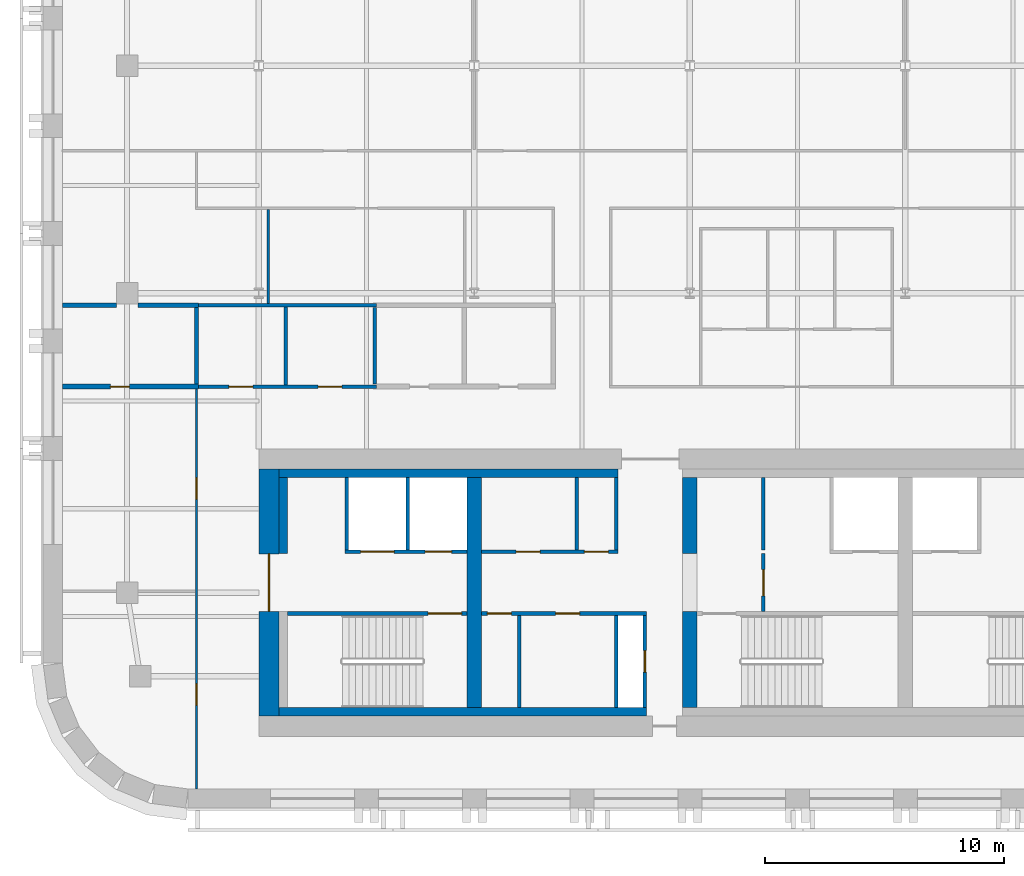
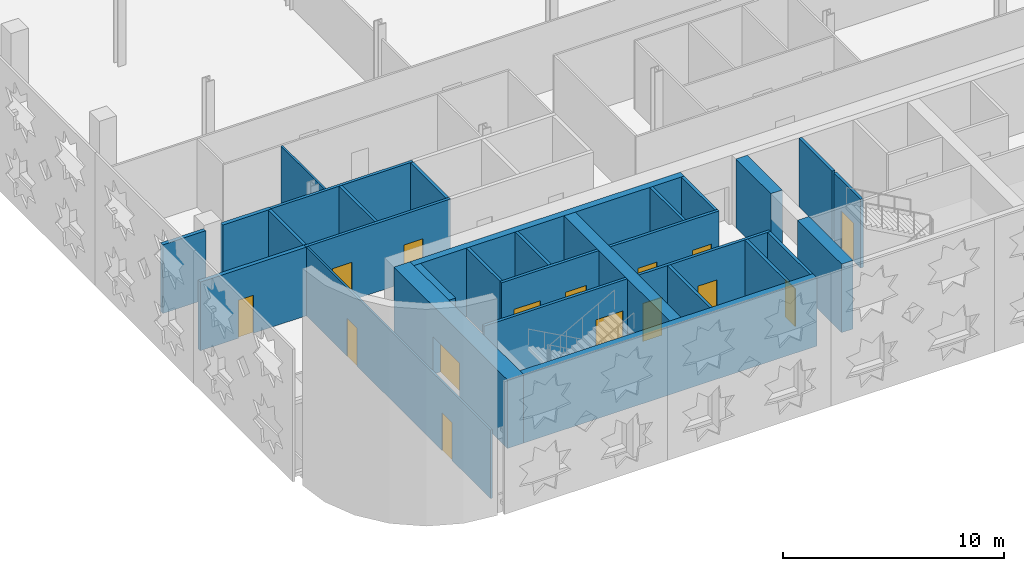
# One storey, part 3 of 14: 30 walls, 15 doors, 15 openings.
"""IFC4 building model written with IfcOpenShell, lengths in metres."""

from ifc_helpers import new_model, si_unit, direction, frame, frame_2d, origin, place, context, subcontext, project, spatial, rectangle, extrude, material, layer, layer_set, type_object, element, fill, save


model = new_model("IFC4")

# Units and contexts
model_context = context("Model", 3, precision=1e-05, world=origin(), true_north=direction((0.0, 1.0)))
body_context = subcontext(model_context, "Body", "Model", "MODEL_VIEW")
ifc_project = project(units=[si_unit("LENGTHUNIT", "METRE"), si_unit("AREAUNIT", "SQUARE_METRE"), si_unit("VOLUMEUNIT", "CUBIC_METRE"), si_unit("PLANEANGLEUNIT", "RADIAN"), si_unit("MASSUNIT", "GRAM", prefix="KILO")], contexts=[model_context])

# Site, building, storey
site_placement = place(None, origin())
site = spatial("IfcSite", under=ifc_project, at=site_placement, CompositionType="ELEMENT")
building_placement = place(site_placement, origin())
building = spatial("IfcBuilding", under=site, at=building_placement, Name="Zellij Exchange Tower", CompositionType="ELEMENT")
storey_placement = place(building_placement, frame((0.0, 0.0, 188.5)))
storey = spatial("IfcBuildingStorey", under=building, at=storey_placement, Name="L43", CompositionType="ELEMENT", Elevation=188.5)

# Walls
ifc_material_1 = material(Name="Concrete C60/75", Category="concrete")
ifc_layer_1 = layer(ifc_material_1, 0.60009765625)
ifc_layer_set_1 = layer_set([ifc_layer_1], Name="Concrete C60/75")
wall_type_1 = type_object("IfcWallType", Name="CORE-CW 600 C60/75", PredefinedType="SHEAR", material=ifc_layer_set_1)
wall_1_placement = place(storey_placement, frame((-18.0, -12.800048828125, 0.0), z_axis=(0.0, 0.0, 1.0), x_axis=(0.0, 1.0, 0.0)))
element("IfcWall", 1, at=wall_1_placement, inside=storey, type_object=wall_type_1, Name="Core cross wall x -18 L43", PredefinedType="SHEAR", context=body_context, shape_type="SweptSolid", body=[
    extrude(rectangle(XDim=9.60009765625, YDim=0.60009765625, at=frame_2d((4.800048828125, 0.0))), origin(), (0.0, 0.0, 1.0), 3.800048828125),
])
wall_2_placement = place(storey_placement, frame((-9.0, -12.800048828125, 0.0), z_axis=(0.0, 0.0, 1.0), x_axis=(0.0, 1.0, 0.0)))
element("IfcWall", 2, at=wall_2_placement, inside=storey, type_object=wall_type_1, Name="Core cross wall pier x -9 a L43", PredefinedType="SHEAR", context=body_context, shape_type="SweptSolid", body=[
    extrude(rectangle(XDim=4.0, YDim=0.60009765625, at=frame_2d((2.0, 0.0))), origin(), (0.0, 0.0, 1.0), 3.800048828125),
])
wall_3_placement = place(storey_placement, frame((-9.0, -6.375, 0.0), z_axis=(0.0, 0.0, 1.0), x_axis=(0.0, 1.0, 0.0)))
element("IfcWall", 3, at=wall_3_placement, inside=storey, type_object=wall_type_1, Name="Core cross wall pier x -9 b L43", PredefinedType="SHEAR", context=body_context, shape_type="SweptSolid", body=[
    extrude(rectangle(XDim=3.175048828125, YDim=0.60009765625, at=frame_2d((1.58740234375, 0.0))), origin(), (0.0, 0.0, 1.0), 3.800048828125),
])
ifc_material_2 = material(Name="Concrete C30/37", Category="concrete")
ifc_layer_2 = layer(ifc_material_2, 0.35009765625)
ifc_layer_set_2 = layer_set([ifc_layer_2], Name="Concrete C30/37")
wall_type_2 = type_object("IfcWallType", Name="CORE-LW 350 C30/37", PredefinedType="SHEAR", material=ifc_layer_set_2)
wall_4_placement = place(storey_placement, frame((-26.14990234375, -3.02490234375, 0.0), z_axis=(0.0, 0.0, 1.0), x_axis=(1.0, 0.0, 0.0)))
element("IfcWall", 4, at=wall_4_placement, inside=storey, type_object=wall_type_2, Name="Core wall lining front.0 L43", PredefinedType="SHEAR", context=body_context, shape_type="SweptSolid", body=[
    extrude(rectangle(XDim=14.14990234375, YDim=0.35009765625, at=frame_2d((7.074951171875, 0.0))), origin(), (0.0, 0.0, 1.0), 3.800048828125),
])
wall_5_placement = place(storey_placement, frame((-26.14990234375, -12.97509765625, 0.0), z_axis=(0.0, 0.0, 1.0), x_axis=(1.0, 0.0, 0.0)))
element("IfcWall", 5, at=wall_5_placement, inside=storey, type_object=wall_type_2, Name="Core wall lining rear.0 L43", PredefinedType="SHEAR", context=body_context, shape_type="SweptSolid", body=[
    extrude(rectangle(XDim=15.349853515625, YDim=0.35009765625, at=frame_2d((7.6748046875, 0.0))), origin(), (0.0, 0.0, 1.0), 3.800048828125),
])
wall_6_placement = place(storey_placement, frame((-25.97509765625, -6.375, 0.0), z_axis=(0.0, 0.0, 1.0), x_axis=(0.0, 1.0, 0.0)))
element("IfcWall", 6, at=wall_6_placement, inside=storey, type_object=wall_type_2, Name="Core wall lining end w.1 L43", PredefinedType="SHEAR", context=body_context, shape_type="SweptSolid", body=[
    extrude(rectangle(XDim=3.175048828125, YDim=0.35009765625, at=frame_2d((1.58740234375, 0.0))), origin(), (0.0, 0.0, 1.0), 3.800048828125),
])

# Wall, opening, door
ifc_material_3 = material(Name="Gypsum shaft wall system")
ifc_layer_3 = layer(ifc_material_3, 0.14990234375)
ifc_layer_set_3 = layer_set([ifc_layer_3], Name="Gypsum shaft wall system")
wall_type_3 = type_object("IfcWallType", Name="CORE-PW 150 Firefighting lobby wall", PredefinedType="PARTITIONING", material=ifc_layer_set_3)
wall_7_placement = place(storey_placement, frame((-5.925048828125, -8.800048828125, 0.0), z_axis=(0.0, 0.0, 1.0), x_axis=(0.0, 1.0, 0.0)))
wall_7 = element("IfcWall", 7, at=wall_7_placement, inside=storey, type_object=wall_type_3, Name="Firefighting lobby wall L43", PredefinedType="PARTITIONING", context=body_context, shape_type="SweptSolid", body=[
    extrude(rectangle(XDim=2.425048828125, YDim=0.14990234375, at=frame_2d((1.21240234375, 0.0))), origin(), (0.0, 0.0, 1.0), 3.800048828125),
])
opening_1_placement = place(wall_7_placement, frame((0.662109375, 0.0, 0.0)))
opening_1 = element("IfcOpeningElement", 8, at=opening_1_placement, cuts=wall_7, Name="Opening CA-23.13", PredefinedType="OPENING", context=body_context, shape_type="SweptSolid", body=[
    extrude(rectangle(XDim=1.10009765625, YDim=2.10009765625, at=frame_2d((0.550048828125, 1.050048828125))), frame((0.0, 0.0869140625, 0.0), z_axis=(0.0, -1.0, 0.0), x_axis=(1.0, 0.0, 0.0)), (0.0, 0.0, 1.0), 0.173828125),
])
ifc_material_4 = material(Name="Hollow metal fire door")
door_type_1 = type_object("IfcDoorType", Name="CORE-D F Firefighting lobby door 1100x2100 1 HR", OperationType="NOTDEFINED", PredefinedType="DOOR", material=ifc_material_4)
door_1_placement = place(opening_1_placement, origin())
door_1 = element("IfcDoor", 9, at=door_1_placement, inside=storey, type_object=door_type_1, Name="Firefighting lobby door CA-23.13", OperationType="SINGLE_SWING_LEFT", OverallHeight=2.10009765625, OverallWidth=1.10009765625, PredefinedType="DOOR", context=body_context, shape_type="SweptSolid", body=[
    extrude(rectangle(XDim=1.10009765625, YDim=2.10009765625, at=frame_2d((0.550048828125, 1.050048828125))), frame((0.0, 0.02490234375, 0.0), z_axis=(0.0, -1.0, 0.0), x_axis=(1.0, 0.0, 0.0)), (0.0, 0.0, 1.0), 0.050048828125),
])
fill(opening_1, door_1)

# Walls
ifc_material_5 = material(Name="Gypsum board partition")
ifc_layer_4 = layer(ifc_material_5, 0.14990234375)
ifc_layer_set_4 = layer_set([ifc_layer_4], Name="Gypsum board partition")
wall_type_4 = type_object("IfcWallType", Name="CORE-PW 150 Lift lobby wall", PredefinedType="PARTITIONING", material=ifc_layer_set_4)
for number, where, z_axis, x_axis, name in (
    (10, (-12.074951171875, -6.22509765625, 0.0), (0.0, 0.0, 1.0), (0.0, 1.0, 0.0), "Lift lobby wall L43"),
    (11, (-13.72509765625, -6.22509765625, 0.0), (0.0, 0.0, 1.0), (0.0, 1.0, 0.0), "Lift lobby wall L43"),
    (12, (-5.925048828125, -6.22509765625, 0.0), (0.0, 0.0, 1.0), (0.0, 1.0, 0.0), "Lift lobby wall L43"),
):
    element("IfcWall", number, at=place(storey_placement, frame(where, z_axis=z_axis, x_axis=x_axis)), inside=storey, type_object=wall_type_4, Name=name, PredefinedType="PARTITIONING", context=body_context, shape_type="SweptSolid", body=[
        extrude(rectangle(XDim=3.025146484375, YDim=0.14990234375, at=frame_2d((1.5126953125, 0.0))), origin(), (0.0, 0.0, 1.0), 3.800048828125),
    ])

# Wall, opening, door
wall_8_placement = place(storey_placement, frame((-10.875, -12.800048828125, 0.0), z_axis=(0.0, 0.0, 1.0), x_axis=(0.0, 1.0, 0.0)))
wall_8 = element("IfcWall", 13, at=wall_8_placement, inside=storey, type_object=wall_type_4, Name="Lift lobby wall L43", PredefinedType="PARTITIONING", context=body_context, shape_type="SweptSolid", body=[
    extrude(rectangle(XDim=3.85009765625, YDim=0.14990234375, at=frame_2d((1.925048828125, 0.0))), origin(), (0.0, 0.0, 1.0), 3.800048828125),
])
opening_2_placement = place(wall_8_placement, frame((1.47509765625, 0.0, 0.0)))
opening_2 = element("IfcOpeningElement", 14, at=opening_2_placement, cuts=wall_8, Name="Opening CA-23.09", PredefinedType="OPENING", context=body_context, shape_type="SweptSolid", body=[
    extrude(rectangle(XDim=0.89990234375, YDim=2.10009765625, at=frame_2d((0.449951171875, 1.050048828125))), frame((0.0, 0.0869140625, 0.0), z_axis=(0.0, -1.0, 0.0), x_axis=(1.0, 0.0, 0.0)), (0.0, 0.0, 1.0), 0.173828125),
])
door_type_2 = type_object("IfcDoorType", Name="CORE-D RD Riser door 900x2100 1.5 HR", OperationType="NOTDEFINED", PredefinedType="DOOR", material=ifc_material_4)
door_2_placement = place(opening_2_placement, origin())
door_2 = element("IfcDoor", 15, at=door_2_placement, inside=storey, type_object=door_type_2, Name="Riser door CA-23.09", OperationType="SINGLE_SWING_RIGHT", OverallHeight=2.10009765625, OverallWidth=0.89990234375, PredefinedType="DOOR", context=body_context, shape_type="SweptSolid", body=[
    extrude(rectangle(XDim=0.89990234375, YDim=2.10009765625, at=frame_2d((0.449951171875, 1.050048828125))), frame((0.0, 0.02490234375, 0.0), z_axis=(0.0, -1.0, 0.0), x_axis=(1.0, 0.0, 0.0)), (0.0, 0.0, 1.0), 0.050048828125),
])
fill(opening_2, door_2)

# Walls
for number, where, z_axis, x_axis, name in (
    (16, (-12.074951171875, -12.800048828125, 0.0), (0.0, 0.0, 1.0), (0.0, 1.0, 0.0), "Lift lobby wall L43"),
    (17, (-16.125, -12.800048828125, 0.0), (0.0, 0.0, 1.0), (0.0, 1.0, 0.0), "Lift lobby wall L43"),
):
    element("IfcWall", number, at=place(storey_placement, frame(where, z_axis=z_axis, x_axis=x_axis)), inside=storey, type_object=wall_type_4, Name=name, PredefinedType="PARTITIONING", context=body_context, shape_type="SweptSolid", body=[
        extrude(rectangle(XDim=3.85009765625, YDim=0.14990234375, at=frame_2d((1.925048828125, 0.0))), origin(), (0.0, 0.0, 1.0), 3.800048828125),
    ])

# Wall, openings, doors
wall_9_placement = place(storey_placement, frame((-17.699951171875, -6.300048828125, 0.0), z_axis=(0.0, 0.0, 1.0), x_axis=(1.0, 0.0, 0.0)))
wall_9 = element("IfcWall", 18, at=wall_9_placement, inside=storey, type_object=wall_type_4, Name="Lift lobby wall L43", PredefinedType="PARTITIONING", context=body_context, shape_type="SweptSolid", body=[
    extrude(rectangle(XDim=5.699951171875, YDim=0.14990234375, at=frame_2d((2.85009765625, 0.0))), origin(), (0.0, 0.0, 1.0), 3.800048828125),
])
opening_3_placement = place(wall_9_placement, frame((1.449951171875, 0.0, 0.0)))
opening_3 = element("IfcOpeningElement", 19, at=opening_3_placement, cuts=wall_9, Name="Opening CA-23.06", PredefinedType="OPENING", context=body_context, shape_type="SweptSolid", body=[
    extrude(rectangle(XDim=1.0, YDim=2.10009765625, at=frame_2d((0.5, 1.050048828125))), frame((0.0, 0.0869140625, 0.0), z_axis=(0.0, -1.0, 0.0), x_axis=(1.0, 0.0, 0.0)), (0.0, 0.0, 1.0), 0.173828125),
])
opening_4_placement = place(wall_9_placement, frame((4.300048828125, 0.0, 0.0)))
opening_4 = element("IfcOpeningElement", 20, at=opening_4_placement, cuts=wall_9, Name="Opening CA-23.08", PredefinedType="OPENING", context=body_context, shape_type="SweptSolid", body=[
    extrude(rectangle(XDim=1.0, YDim=2.10009765625, at=frame_2d((0.5, 1.050048828125))), frame((0.0, 0.0869140625, 0.0), z_axis=(0.0, -1.0, 0.0), x_axis=(1.0, 0.0, 0.0)), (0.0, 0.0, 1.0), 0.173828125),
])
door_type_3 = type_object("IfcDoorType", Name="CORE-D CD Core room door 1000x2100 1 HR", OperationType="NOTDEFINED", PredefinedType="DOOR", material=ifc_material_4)
door_3_placement = place(opening_3_placement, origin())
door_3 = element("IfcDoor", 21, at=door_3_placement, inside=storey, type_object=door_type_3, Name="Core room door CA-23.06", OperationType="SINGLE_SWING_LEFT", OverallHeight=2.10009765625, OverallWidth=1.0, PredefinedType="DOOR", context=body_context, shape_type="SweptSolid", body=[
    extrude(rectangle(XDim=1.0, YDim=2.10009765625, at=frame_2d((0.5, 1.050048828125))), frame((0.0, 0.02490234375, 0.0), z_axis=(0.0, -1.0, 0.0), x_axis=(1.0, 0.0, 0.0)), (0.0, 0.0, 1.0), 0.050048828125),
])
fill(opening_3, door_3)
door_4_placement = place(opening_4_placement, origin())
door_4 = element("IfcDoor", 22, at=door_4_placement, inside=storey, type_object=door_type_3, Name="Core room door CA-23.08", OperationType="SINGLE_SWING_RIGHT", OverallHeight=2.10009765625, OverallWidth=1.0, PredefinedType="DOOR", context=body_context, shape_type="SweptSolid", body=[
    extrude(rectangle(XDim=1.0, YDim=2.10009765625, at=frame_2d((0.5, 1.050048828125))), frame((0.0, 0.02490234375, 0.0), z_axis=(0.0, -1.0, 0.0), x_axis=(1.0, 0.0, 0.0)), (0.0, 0.0, 1.0), 0.050048828125),
])
fill(opening_4, door_4)

wall_10_placement = place(storey_placement, frame((-17.699951171875, -8.875, 0.0), z_axis=(0.0, 0.0, 1.0), x_axis=(1.0, 0.0, 0.0)))
wall_10 = element("IfcWall", 23, at=wall_10_placement, inside=storey, type_object=wall_type_4, Name="Lift lobby wall L43", PredefinedType="PARTITIONING", context=body_context, shape_type="SweptSolid", body=[
    extrude(rectangle(XDim=6.89990234375, YDim=0.14990234375, at=frame_2d((3.449951171875, 0.0))), origin(), (0.0, 0.0, 1.0), 3.800048828125),
])
opening_5_placement = place(wall_10_placement, frame((0.25, 0.0, 0.0)))
opening_5 = element("IfcOpeningElement", 24, at=opening_5_placement, cuts=wall_10, Name="Opening CA-23.05", PredefinedType="OPENING", context=body_context, shape_type="SweptSolid", body=[
    extrude(rectangle(XDim=1.0, YDim=2.10009765625, at=frame_2d((0.5, 1.050048828125))), frame((0.0, 0.0869140625, 0.0), z_axis=(0.0, -1.0, 0.0), x_axis=(1.0, 0.0, 0.0)), (0.0, 0.0, 1.0), 0.173828125),
])
opening_6_placement = place(wall_10_placement, frame((3.10009765625, 0.0, 0.0)))
opening_6 = element("IfcOpeningElement", 25, at=opening_6_placement, cuts=wall_10, Name="Opening CA-23.07", PredefinedType="OPENING", context=body_context, shape_type="SweptSolid", body=[
    extrude(rectangle(XDim=1.0, YDim=2.10009765625, at=frame_2d((0.5, 1.050048828125))), frame((0.0, 0.0869140625, 0.0), z_axis=(0.0, -1.0, 0.0), x_axis=(1.0, 0.0, 0.0)), (0.0, 0.0, 1.0), 0.173828125),
])
door_5_placement = place(opening_5_placement, origin())
door_5 = element("IfcDoor", 26, at=door_5_placement, inside=storey, type_object=door_type_3, Name="Core room door CA-23.05", OperationType="SINGLE_SWING_RIGHT", OverallHeight=2.10009765625, OverallWidth=1.0, PredefinedType="DOOR", context=body_context, shape_type="SweptSolid", body=[
    extrude(rectangle(XDim=1.0, YDim=2.10009765625, at=frame_2d((0.5, 1.050048828125))), frame((0.0, 0.02490234375, 0.0), z_axis=(0.0, -1.0, 0.0), x_axis=(1.0, 0.0, 0.0)), (0.0, 0.0, 1.0), 0.050048828125),
])
fill(opening_5, door_5)
door_6_placement = place(opening_6_placement, origin())
door_6 = element("IfcDoor", 27, at=door_6_placement, inside=storey, type_object=door_type_3, Name="Core room door CA-23.07", OperationType="SINGLE_SWING_LEFT", OverallHeight=2.10009765625, OverallWidth=1.0, PredefinedType="DOOR", context=body_context, shape_type="SweptSolid", body=[
    extrude(rectangle(XDim=1.0, YDim=2.10009765625, at=frame_2d((0.5, 1.050048828125))), frame((0.0, 0.02490234375, 0.0), z_axis=(0.0, -1.0, 0.0), x_axis=(1.0, 0.0, 0.0)), (0.0, 0.0, 1.0), 0.050048828125),
])
fill(opening_6, door_6)

# Walls
ifc_layer_5 = layer(ifc_material_3, 0.14990234375)
ifc_layer_set_5 = layer_set([ifc_layer_5], Name="Gypsum shaft wall system")
wall_type_5 = type_object("IfcWallType", Name="CORE-PW 150 Lift shaft wall", PredefinedType="PARTITIONING", material=ifc_layer_set_5)
for number, where, z_axis, x_axis, name in (
    (28, (-20.77490234375, -6.22509765625, 0.0), (0.0, 0.0, 1.0), (0.0, 1.0, 0.0), "Lift shaft wall L43"),
    (29, (-23.324951171875, -6.22509765625, 0.0), (0.0, 0.0, 1.0), (0.0, 1.0, 0.0), "Lift shaft wall L43"),
):
    element("IfcWall", number, at=place(storey_placement, frame(where, z_axis=z_axis, x_axis=x_axis)), inside=storey, type_object=wall_type_5, Name=name, PredefinedType="PARTITIONING", context=body_context, shape_type="SweptSolid", body=[
        extrude(rectangle(XDim=3.025146484375, YDim=0.14990234375, at=frame_2d((1.5126953125, 0.0))), origin(), (0.0, 0.0, 1.0), 3.800048828125),
    ])

# Wall, openings, doors
wall_11_placement = place(storey_placement, frame((-23.39990234375, -6.300048828125, 0.0), z_axis=(0.0, 0.0, 1.0), x_axis=(1.0, 0.0, 0.0)))
wall_11 = element("IfcWall", 30, at=wall_11_placement, inside=storey, type_object=wall_type_5, Name="Lift shaft wall L43", PredefinedType="PARTITIONING", context=body_context, shape_type="SweptSolid", body=[
    extrude(rectangle(XDim=5.099853515625, YDim=0.14990234375, at=frame_2d((2.5498046875, 0.0))), origin(), (0.0, 0.0, 1.0), 3.800048828125),
])
opening_7_placement = place(wall_11_placement, frame((0.64990234375, 0.0, 0.0)))
opening_7 = element("IfcOpeningElement", 31, at=opening_7_placement, cuts=wall_11, Name="Opening CA-23.02", PredefinedType="OPENING", context=body_context, shape_type="SweptSolid", body=[
    extrude(rectangle(XDim=1.39990234375, YDim=2.10009765625, at=frame_2d((0.699951171875, 1.050048828125))), frame((0.0, 0.0869140625, 0.0), z_axis=(0.0, -1.0, 0.0), x_axis=(1.0, 0.0, 0.0)), (0.0, 0.0, 1.0), 0.173828125),
])
opening_8_placement = place(wall_11_placement, frame((3.35009765625, 0.0, 0.0)))
opening_8 = element("IfcOpeningElement", 32, at=opening_8_placement, cuts=wall_11, Name="Opening CA-23.03", PredefinedType="OPENING", context=body_context, shape_type="SweptSolid", body=[
    extrude(rectangle(XDim=1.10009765625, YDim=2.10009765625, at=frame_2d((0.550048828125, 1.050048828125))), frame((0.0, 0.0869140625, 0.0), z_axis=(0.0, -1.0, 0.0), x_axis=(1.0, 0.0, 0.0)), (0.0, 0.0, 1.0), 0.173828125),
])
door_type_4 = type_object("IfcDoorType", Name="CORE-D LD Lift landing door 1100x2100 1.5 HR", OperationType="NOTDEFINED", PredefinedType="DOOR", material=ifc_material_4)
door_7_placement = place(opening_8_placement, origin())
door_7 = element("IfcDoor", 33, at=door_7_placement, inside=storey, type_object=door_type_4, Name="Lift landing door CA-23.03", OperationType="SLIDING_TO_LEFT", OverallHeight=2.10009765625, OverallWidth=1.10009765625, PredefinedType="DOOR", context=body_context, shape_type="SweptSolid", body=[
    extrude(rectangle(XDim=1.10009765625, YDim=2.10009765625, at=frame_2d((0.550048828125, 1.050048828125))), frame((0.0, 0.02490234375, 0.0), z_axis=(0.0, -1.0, 0.0), x_axis=(1.0, 0.0, 0.0)), (0.0, 0.0, 1.0), 0.050048828125),
])
fill(opening_8, door_7)
door_type_5 = type_object("IfcDoorType", Name="CORE-D LD2 Service lift landing door 1400x2100 1.5 HR", OperationType="NOTDEFINED", PredefinedType="DOOR", material=ifc_material_4)
door_8_placement = place(opening_7_placement, origin())
door_8 = element("IfcDoor", 34, at=door_8_placement, inside=storey, type_object=door_type_5, Name="Service lift landing door CA-23.02", OperationType="SLIDING_TO_RIGHT", OverallHeight=2.10009765625, OverallWidth=1.39990234375, PredefinedType="DOOR", context=body_context, shape_type="SweptSolid", body=[
    extrude(rectangle(XDim=1.39990234375, YDim=2.10009765625, at=frame_2d((0.699951171875, 1.050048828125))), frame((0.0, 0.02490234375, 0.0), z_axis=(0.0, -1.0, 0.0), x_axis=(1.0, 0.0, 0.0)), (0.0, 0.0, 1.0), 0.050048828125),
])
fill(opening_7, door_8)

# Wall, opening, door
ifc_layer_6 = layer(ifc_material_1, 0.85009765625)
ifc_layer_set_6 = layer_set([ifc_layer_6], Name="Concrete C60/75")
wall_type_6 = type_object("IfcWallType", Name="CORE-SW 850 C60/75", PredefinedType="SHEAR", material=ifc_layer_set_6)
wall_12_placement = place(storey_placement, frame((-26.574951171875, -13.14990234375, 0.0), z_axis=(0.0, 0.0, 1.0), x_axis=(0.0, 1.0, 0.0)))
wall_12 = element("IfcWall", 35, at=wall_12_placement, inside=storey, type_object=wall_type_6, Name="Core shear wall end w L43", PredefinedType="SHEAR", context=body_context, shape_type="SweptSolid", body=[
    extrude(rectangle(XDim=10.2998046875, YDim=0.85009765625, at=frame_2d((5.14990234375, 0.0))), origin(), (0.0, 0.0, 1.0), 3.800048828125),
])
opening_9_placement = place(wall_12_placement, frame((4.362060546875, 0.0, 0.0)))
opening_9 = element("IfcOpeningElement", 36, at=opening_9_placement, cuts=wall_12, Name="Opening CA-23.01", PredefinedType="OPENING", context=body_context, shape_type="SweptSolid", body=[
    extrude(rectangle(XDim=2.39990234375, YDim=2.10009765625, at=frame_2d((1.199951171875, 1.050048828125))), frame((0.0, 0.43701171875, 0.0), z_axis=(0.0, -1.0, 0.0), x_axis=(1.0, 0.0, 0.0)), (0.0, 0.0, 1.0), 0.8740234375),
])
door_type_6 = type_object("IfcDoorType", Name="CORE-D CE Core entrance door 2400x2100 20 MIN", OperationType="NOTDEFINED", PredefinedType="DOOR", material=ifc_material_4)
door_9_placement = place(opening_9_placement, origin())
door_9 = element("IfcDoor", 37, at=door_9_placement, inside=storey, type_object=door_type_6, Name="Core entrance door CA-23.01", OperationType="DOUBLE_DOOR_SINGLE_SWING", OverallHeight=2.10009765625, OverallWidth=2.39990234375, PredefinedType="DOOR", context=body_context, shape_type="SweptSolid", body=[
    extrude(rectangle(XDim=2.39990234375, YDim=2.10009765625, at=frame_2d((1.199951171875, 1.050048828125))), frame((0.0, 0.02490234375, 0.0), z_axis=(0.0, -1.0, 0.0), x_axis=(1.0, 0.0, 0.0)), (0.0, 0.0, 1.0), 0.050048828125),
])
fill(opening_9, door_9)

ifc_layer_7 = layer(ifc_material_1, 0.14990234375)
ifc_layer_set_7 = layer_set([ifc_layer_7], Name="Concrete C60/75")
wall_type_7 = type_object("IfcWallType", Name="CORE-SWS 150 C60/75", PredefinedType="SHEAR", material=ifc_layer_set_7)
wall_13_placement = place(storey_placement, frame((-25.800048828125, -8.875, 0.0), z_axis=(0.0, 0.0, 1.0), x_axis=(1.0, 0.0, 0.0)))
wall_13 = element("IfcWall", 38, at=wall_13_placement, inside=storey, type_object=wall_type_7, Name="Stair enclosure wall L43", PredefinedType="SHEAR", context=body_context, shape_type="SweptSolid", body=[
    extrude(rectangle(XDim=7.5, YDim=0.14990234375, at=frame_2d((3.75, 0.0))), origin(), (0.0, 0.0, 1.0), 3.800048828125),
])
opening_10_placement = place(wall_13_placement, frame((5.875, 0.0, 0.0)))
opening_10 = element("IfcOpeningElement", 39, at=opening_10_placement, cuts=wall_13, Name="Opening CA-23.04", PredefinedType="OPENING", context=body_context, shape_type="SweptSolid", body=[
    extrude(rectangle(XDim=1.39990234375, YDim=2.10009765625, at=frame_2d((0.699951171875, 1.050048828125))), frame((0.0, 0.0869140625, 0.0), z_axis=(0.0, -1.0, 0.0), x_axis=(1.0, 0.0, 0.0)), (0.0, 0.0, 1.0), 0.173828125),
])
door_type_7 = type_object("IfcDoorType", Name="CORE-D SD Stair door 1400x2100 1.5 HR", OperationType="NOTDEFINED", PredefinedType="DOOR", material=ifc_material_4)
door_10_placement = place(opening_10_placement, origin())
door_10 = element("IfcDoor", 40, at=door_10_placement, inside=storey, type_object=door_type_7, Name="Stair door CA-23.04", OperationType="DOUBLE_DOOR_SINGLE_SWING", OverallHeight=2.10009765625, OverallWidth=1.39990234375, PredefinedType="DOOR", context=body_context, shape_type="SweptSolid", body=[
    extrude(rectangle(XDim=1.39990234375, YDim=2.10009765625, at=frame_2d((0.699951171875, 1.050048828125))), frame((0.0, 0.02490234375, 0.0), z_axis=(0.0, -1.0, 0.0), x_axis=(1.0, 0.0, 0.0)), (0.0, 0.0, 1.0), 0.050048828125),
])
fill(opening_10, door_10)

ifc_material_6 = material(Name="Blockwork partition", Category="masonry")
ifc_layer_8 = layer(ifc_material_6, 0.199951171875)
ifc_layer_set_8 = layer_set([ifc_layer_8], Name="Blockwork partition")
wall_type_8 = type_object("IfcWallType", Name="FIT-BLOCKWORK-200", PredefinedType="PARTITIONING", material=ifc_layer_set_8)
wall_14_placement = place(storey_placement, frame((-35.199951171875, 0.60009765625, 0.0), z_axis=(0.0, 0.0, 1.0), x_axis=(1.0, 0.0, 0.0)))
wall_14 = element("IfcWall", 41, at=wall_14_placement, inside=storey, type_object=wall_type_8, Name="FIT-BLOCKWORK-200 005", PredefinedType="PARTITIONING", context=body_context, shape_type="SweptSolid", body=[
    extrude(rectangle(XDim=5.675048828125, YDim=0.199951171875, at=frame_2d((2.83740234375, 0.0))), origin(), (0.0, 0.0, 1.0), 3.800048828125),
])
opening_11_placement = place(wall_14_placement, frame((2.0, 0.0, 0.0)))
opening_11 = element("IfcOpeningElement", 42, at=opening_11_placement, cuts=wall_14, Name="Opening O3C.04", PredefinedType="OPENING", context=body_context, shape_type="SweptSolid", body=[
    extrude(rectangle(XDim=0.800048828125, YDim=2.10009765625, at=frame_2d((0.39990234375, 1.050048828125))), frame((0.0, 0.11181640625, 0.0), z_axis=(0.0, -1.0, 0.0), x_axis=(1.0, 0.0, 0.0)), (0.0, 0.0, 1.0), 0.223876953125),
])
ifc_material_7 = material(Name="Timber door set", Category="wood")
door_type_8 = type_object("IfcDoorType", Name="FIT-D6-SERVICE-800X2100", OperationType="SINGLE_SWING_LEFT", PredefinedType="DOOR", material=ifc_material_7)
door_11_placement = place(opening_11_placement, origin())
door_11 = element("IfcDoor", 43, at=door_11_placement, inside=storey, type_object=door_type_8, Name="Door O3C.04", OperationType="SINGLE_SWING_RIGHT", OverallHeight=2.10009765625, OverallWidth=0.800048828125, PredefinedType="DOOR", context=body_context, shape_type="SweptSolid", body=[
    extrude(rectangle(XDim=0.800048828125, YDim=2.10009765625, at=frame_2d((0.39990234375, 1.050048828125))), frame((0.0, 0.02490234375, 0.0), z_axis=(0.0, -1.0, 0.0), x_axis=(1.0, 0.0, 0.0)), (0.0, 0.0, 1.0), 0.050048828125),
])
fill(opening_11, door_11)

# Walls
wall_15_placement = place(storey_placement, frame((-35.199951171875, 4.0, 0.0), z_axis=(0.0, 0.0, 1.0), x_axis=(1.0, 0.0, 0.0)))
element("IfcWall", 44, at=wall_15_placement, inside=storey, type_object=wall_type_8, Name="FIT-BLOCKWORK-200 023", PredefinedType="PARTITIONING", context=body_context, shape_type="SweptSolid", body=[
    extrude(rectangle(XDim=2.25, YDim=0.199951171875, at=frame_2d((1.125, 0.0))), origin(), (0.0, 0.0, 1.0), 3.800048828125),
])
wall_16_placement = place(storey_placement, frame((-32.050048828125, 4.0, 0.0), z_axis=(0.0, 0.0, 1.0), x_axis=(1.0, 0.0, 0.0)))
element("IfcWall", 45, at=wall_16_placement, inside=storey, type_object=wall_type_8, Name="FIT-BLOCKWORK-200 024", PredefinedType="PARTITIONING", context=body_context, shape_type="SweptSolid", body=[
    extrude(rectangle(XDim=2.525146484375, YDim=0.199951171875, at=frame_2d((1.2626953125, 0.0))), origin(), (0.0, 0.0, 1.0), 3.800048828125),
])

# Wall, openings, doors
ifc_material_8 = material(Name="Gypsum board partition on steel studs", Category="steel")
ifc_layer_9 = layer(ifc_material_8, 0.10009765625)
ifc_layer_set_9 = layer_set([ifc_layer_9], Name="Gypsum board partition on steel studs")
wall_type_9 = type_object("IfcWallType", Name="FIT-PARTITION-100", PredefinedType="PARTITIONING", material=ifc_layer_set_9)
wall_17_placement = place(storey_placement, frame((-29.60009765625, -16.199951171875, 0.0), z_axis=(0.0, 0.0, 1.0), x_axis=(0.0, 1.0, 0.0)))
wall_17 = element("IfcWall", 46, at=wall_17_placement, inside=storey, type_object=wall_type_9, Name="FIT-PARTITION-100 001", PredefinedType="PARTITIONING", context=body_context, shape_type="SweptSolid", body=[
    extrude(rectangle(XDim=16.699951171875, YDim=0.10009765625, at=frame_2d((8.35009765625, 0.0))), origin(), (0.0, 0.0, 1.0), 3.800048828125),
])
opening_12_placement = place(wall_17_placement, frame((3.5, 0.0, 0.0)))
opening_12 = element("IfcOpeningElement", 47, at=opening_12_placement, cuts=wall_17, Name="Opening O3C.01", PredefinedType="OPENING", context=body_context, shape_type="SweptSolid", body=[
    extrude(rectangle(XDim=0.89990234375, YDim=2.10009765625, at=frame_2d((0.449951171875, 1.050048828125))), frame((0.0, 0.06201171875, 0.0), z_axis=(0.0, -1.0, 0.0), x_axis=(1.0, 0.0, 0.0)), (0.0, 0.0, 1.0), 0.1240234375),
])
opening_13_placement = place(wall_17_placement, frame((12.10009765625, 0.0, 0.0)))
opening_13 = element("IfcOpeningElement", 48, at=opening_13_placement, cuts=wall_17, Name="Opening O3C.03", PredefinedType="OPENING", context=body_context, shape_type="SweptSolid", body=[
    extrude(rectangle(XDim=0.89990234375, YDim=2.10009765625, at=frame_2d((0.449951171875, 1.050048828125))), frame((0.0, 0.06201171875, 0.0), z_axis=(0.0, -1.0, 0.0), x_axis=(1.0, 0.0, 0.0)), (0.0, 0.0, 1.0), 0.1240234375),
])
door_type_9 = type_object("IfcDoorType", Name="FIT-D1-ROOM-900X2100", OperationType="SINGLE_SWING_LEFT", PredefinedType="DOOR", material=ifc_material_7)
door_12_placement = place(opening_12_placement, origin())
door_12 = element("IfcDoor", 49, at=door_12_placement, inside=storey, type_object=door_type_9, Name="Door O3C.01", OperationType="SINGLE_SWING_RIGHT", OverallHeight=2.10009765625, OverallWidth=0.89990234375, PredefinedType="DOOR", context=body_context, shape_type="SweptSolid", body=[
    extrude(rectangle(XDim=0.89990234375, YDim=2.10009765625, at=frame_2d((0.449951171875, 1.050048828125))), frame((0.0, 0.02490234375, 0.0), z_axis=(0.0, -1.0, 0.0), x_axis=(1.0, 0.0, 0.0)), (0.0, 0.0, 1.0), 0.050048828125),
])
fill(opening_12, door_12)
door_13_placement = place(opening_13_placement, origin())
door_13 = element("IfcDoor", 50, at=door_13_placement, inside=storey, type_object=door_type_9, Name="Door O3C.03", OperationType="SINGLE_SWING_LEFT", OverallHeight=2.10009765625, OverallWidth=0.89990234375, PredefinedType="DOOR", context=body_context, shape_type="SweptSolid", body=[
    extrude(rectangle(XDim=0.89990234375, YDim=2.10009765625, at=frame_2d((0.449951171875, 1.050048828125))), frame((0.0, 0.02490234375, 0.0), z_axis=(0.0, -1.0, 0.0), x_axis=(1.0, 0.0, 0.0)), (0.0, 0.0, 1.0), 0.050048828125),
])
fill(opening_13, door_13)

# Wall
wall_18_placement = place(storey_placement, frame((-26.60009765625, 4.074951171875, 0.0), z_axis=(0.0, 0.0, 1.0), x_axis=(0.0, 1.0, 0.0)))
element("IfcWall", 51, at=wall_18_placement, inside=storey, type_object=wall_type_9, Name="FIT-PARTITION-100 026", PredefinedType="PARTITIONING", context=body_context, shape_type="SweptSolid", body=[
    extrude(rectangle(XDim=3.925048828125, YDim=0.10009765625, at=frame_2d((1.96240234375, 0.0))), origin(), (0.0, 0.0, 1.0), 3.800048828125),
])

# Wall, openings, doors
ifc_material_9 = material(Name="Gypsum board shaft-wall partition", Category="gypsum")
ifc_layer_10 = layer(ifc_material_9, 0.14990234375)
ifc_layer_set_10 = layer_set([ifc_layer_10], Name="Gypsum board shaft-wall partition")
wall_type_10 = type_object("IfcWallType", Name="FIT-PARTITION-150-EI60", PredefinedType="PARTITIONING", material=ifc_layer_set_10)
wall_19_placement = place(storey_placement, frame((-29.675048828125, 0.60009765625, 0.0), z_axis=(0.0, 0.0, 1.0), x_axis=(1.0, 0.0, 0.0)))
wall_19 = element("IfcWall", 52, at=wall_19_placement, inside=storey, type_object=wall_type_10, Name="FIT-PARTITION-150-EI60 006", PredefinedType="PARTITIONING", context=body_context, shape_type="SweptSolid", body=[
    extrude(rectangle(XDim=7.60009765625, YDim=0.14990234375, at=frame_2d((3.800048828125, 0.0))), origin(), (0.0, 0.0, 1.0), 3.800048828125),
])
opening_14_placement = place(wall_19_placement, frame((1.425048828125, 0.0, 0.0)))
opening_14 = element("IfcOpeningElement", 53, at=opening_14_placement, cuts=wall_19, Name="Opening O3C.05", PredefinedType="OPENING", context=body_context, shape_type="SweptSolid", body=[
    extrude(rectangle(XDim=1.0, YDim=2.10009765625, at=frame_2d((0.5, 1.050048828125))), frame((0.0, 0.0869140625, 0.0), z_axis=(0.0, -1.0, 0.0), x_axis=(1.0, 0.0, 0.0)), (0.0, 0.0, 1.0), 0.173828125),
])
opening_15_placement = place(wall_19_placement, frame((5.14990234375, 0.0, 0.0)))
opening_15 = element("IfcOpeningElement", 54, at=opening_15_placement, cuts=wall_19, Name="Opening O3C.06", PredefinedType="OPENING", context=body_context, shape_type="SweptSolid", body=[
    extrude(rectangle(XDim=1.0, YDim=2.10009765625, at=frame_2d((0.5, 1.050048828125))), frame((0.0, 0.0869140625, 0.0), z_axis=(0.0, -1.0, 0.0), x_axis=(1.0, 0.0, 0.0)), (0.0, 0.0, 1.0), 0.173828125),
])
ifc_material_10 = material(Name="Steel fire door set", Category="steel")
door_type_10 = type_object("IfcDoorType", Name="FIT-D4-FIRE-1000X2100", OperationType="SINGLE_SWING_LEFT", PredefinedType="DOOR", material=ifc_material_10)
door_14_placement = place(opening_14_placement, origin())
door_14 = element("IfcDoor", 55, at=door_14_placement, inside=storey, type_object=door_type_10, Name="Door O3C.05", OperationType="SINGLE_SWING_LEFT", OverallHeight=2.10009765625, OverallWidth=1.0, PredefinedType="DOOR", context=body_context, shape_type="SweptSolid", body=[
    extrude(rectangle(XDim=1.0, YDim=2.10009765625, at=frame_2d((0.5, 1.050048828125))), frame((0.0, 0.02490234375, 0.0), z_axis=(0.0, -1.0, 0.0), x_axis=(1.0, 0.0, 0.0)), (0.0, 0.0, 1.0), 0.050048828125),
])
fill(opening_14, door_14)
door_15_placement = place(opening_15_placement, origin())
door_15 = element("IfcDoor", 56, at=door_15_placement, inside=storey, type_object=door_type_10, Name="Door O3C.06", OperationType="SINGLE_SWING_LEFT", OverallHeight=2.10009765625, OverallWidth=1.0, PredefinedType="DOOR", context=body_context, shape_type="SweptSolid", body=[
    extrude(rectangle(XDim=1.0, YDim=2.10009765625, at=frame_2d((0.5, 1.050048828125))), frame((0.0, 0.02490234375, 0.0), z_axis=(0.0, -1.0, 0.0), x_axis=(1.0, 0.0, 0.0)), (0.0, 0.0, 1.0), 0.050048828125),
])
fill(opening_15, door_15)

# Walls
wall_20_placement = place(storey_placement, frame((-29.60009765625, 0.699951171875, 0.0), z_axis=(0.0, 0.0, 1.0), x_axis=(0.0, 1.0, 0.0)))
element("IfcWall", 57, at=wall_20_placement, inside=storey, type_object=wall_type_10, Name="FIT-PARTITION-150-EI60 007", PredefinedType="PARTITIONING", context=body_context, shape_type="SweptSolid", body=[
    extrude(rectangle(XDim=3.199951171875, YDim=0.14990234375, at=frame_2d((1.60009765625, 0.0))), origin(), (0.0, 0.0, 1.0), 3.800048828125),
])
wall_21_placement = place(storey_placement, frame((-25.8798828125, 0.675048828125, 0.0), z_axis=(0.0, 0.0, 1.0), x_axis=(0.0, 1.0, 0.0)))
element("IfcWall", 58, at=wall_21_placement, inside=storey, type_object=wall_type_10, Name="FIT-PARTITION-150-EI60 008", PredefinedType="PARTITIONING", context=body_context, shape_type="SweptSolid", body=[
    extrude(rectangle(XDim=3.25, YDim=0.14990234375, at=frame_2d((1.625, 0.0))), origin(), (0.0, 0.0, 1.0), 3.800048828125),
])
wall_22_placement = place(storey_placement, frame((-22.14990234375, 0.699951171875, 0.0), z_axis=(0.0, 0.0, 1.0), x_axis=(0.0, 1.0, 0.0)))
element("IfcWall", 59, at=wall_22_placement, inside=storey, type_object=wall_type_10, Name="FIT-PARTITION-150-EI60 010", PredefinedType="PARTITIONING", context=body_context, shape_type="SweptSolid", body=[
    extrude(rectangle(XDim=3.199951171875, YDim=0.14990234375, at=frame_2d((1.60009765625, 0.0))), origin(), (0.0, 0.0, 1.0), 3.800048828125),
])
wall_23_placement = place(storey_placement, frame((-29.675048828125, 4.0, 0.0), z_axis=(0.0, 0.0, 1.0), x_axis=(1.0, 0.0, 0.0)))
element("IfcWall", 60, at=wall_23_placement, inside=storey, type_object=wall_type_10, Name="FIT-PARTITION-150-EI60 025", PredefinedType="PARTITIONING", context=body_context, shape_type="SweptSolid", body=[
    extrude(rectangle(XDim=7.60009765625, YDim=0.14990234375, at=frame_2d((3.800048828125, 0.0))), origin(), (0.0, 0.0, 1.0), 3.800048828125),
])

save(model, "model.ifc")
